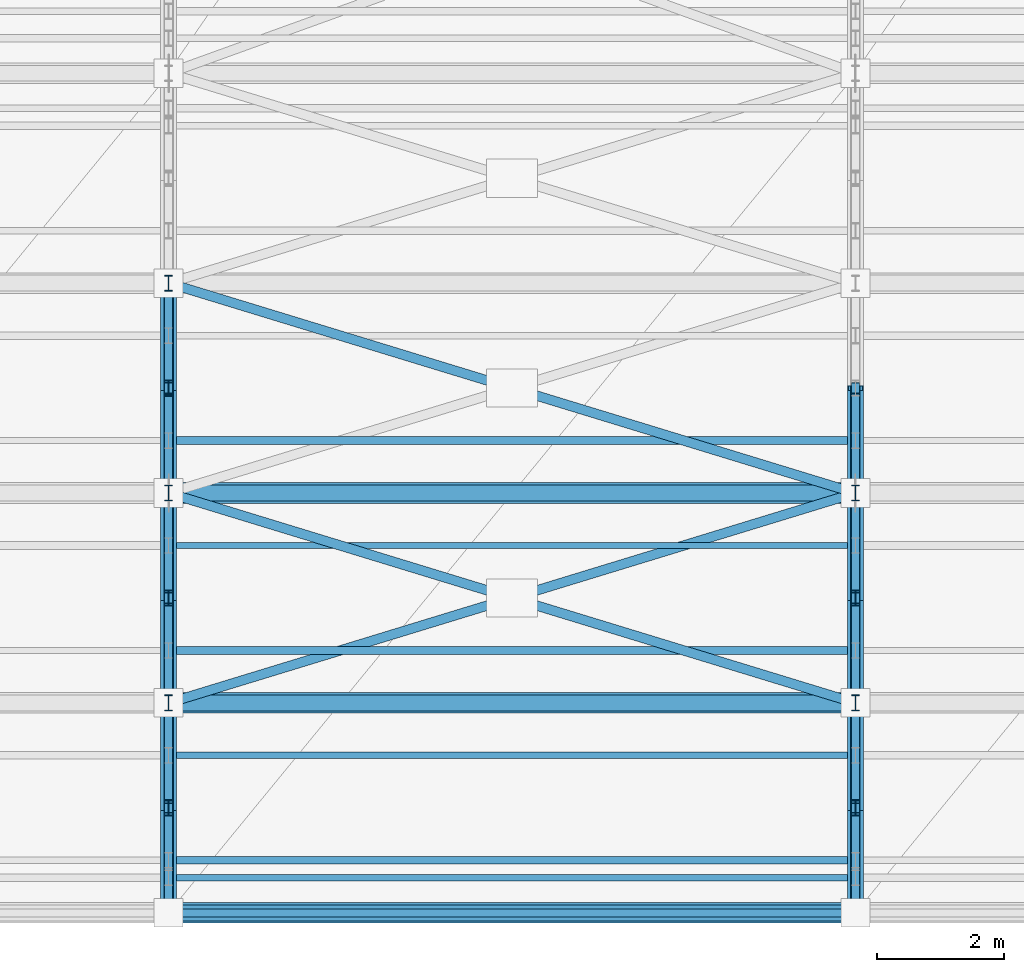
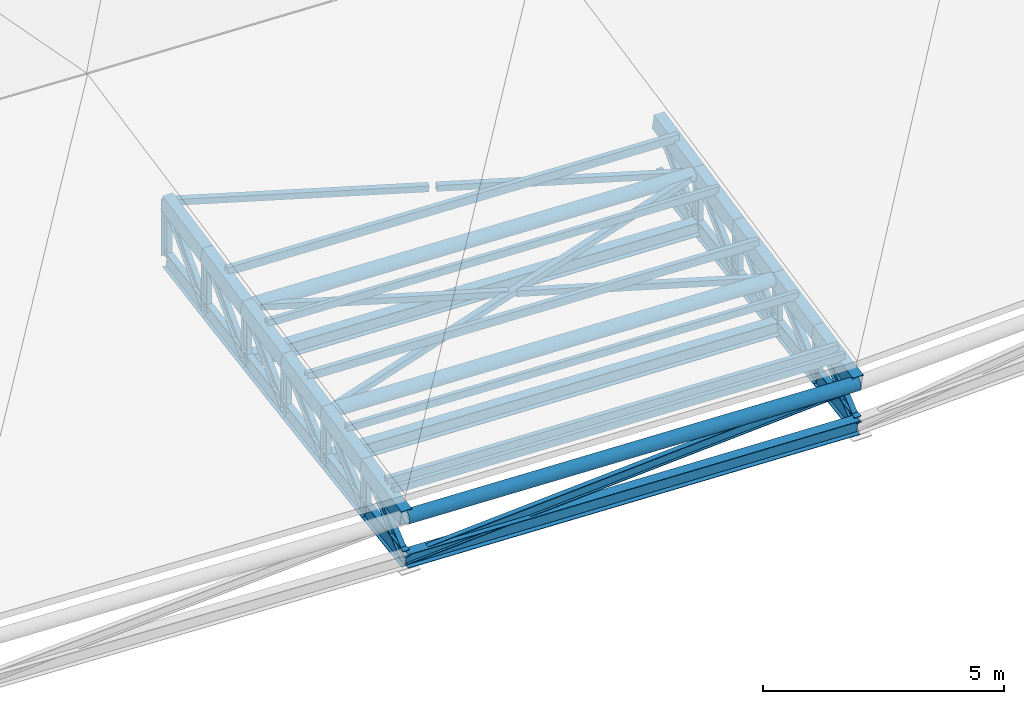
# One storey, part 19 of 89: 39 members, 22 beams.
"""IFC4 building model written with IfcOpenShell, lengths in metres."""

from ifc_helpers import new_model, si_unit, direction, frame, origin, origin_2d, place, context, subcontext, project, spatial, hollow_rectangle, hollow_circle, i_section, extrude, material, material_profile, profile_set, type_object, element, save


model = new_model("IFC4")

# Units and contexts
model_context = context("Model", 3, precision=1e-05, world=origin(), true_north=direction((0.0, 1.0)))
body_context = subcontext(model_context, "Body", "Model", "MODEL_VIEW")
ifc_project = project(units=[si_unit("LENGTHUNIT", "METRE"), si_unit("AREAUNIT", "SQUARE_METRE"), si_unit("VOLUMEUNIT", "CUBIC_METRE"), si_unit("PLANEANGLEUNIT", "RADIAN"), si_unit("MASSUNIT", "GRAM", prefix="KILO")], contexts=[model_context])

# Site, building, storey
site_placement = place(None, origin())
site = spatial("IfcSite", under=ifc_project, at=site_placement, CompositionType="ELEMENT")
building_placement = place(site_placement, origin())
building = spatial("IfcBuilding", under=site, at=building_placement, Name="Suirenkawa Promenade Aquatics Centre", CompositionType="ELEMENT")
storey_placement = place(building_placement, frame((0.0, 0.0, 9.60009765625)))
storey = spatial("IfcBuildingStorey", under=building, at=storey_placement, Name="L02", CompositionType="ELEMENT", Elevation=9.60009765625)

# Beams
ifc_material = material(Name="Steel IS 2062 E350 (Grade 350)", Category="steel")
ifc_material_profile_1 = material_profile(ifc_material, i_section(OverallWidth=0.14990234375, OverallDepth=0.449951171875, WebThickness=0.009033203125, FlangeThickness=0.01708984375, at=origin_2d()), Name="ISMB 450", Category="steel")
ifc_profile_set_1 = profile_set([ifc_material_profile_1], Name="Steel IS 2062 E350 (Grade 350)")
beam_type_1 = type_object("IfcBeamType", Name="BT-STL-ISMB450", PredefinedType="BEAM", material=ifc_profile_set_1)
beam_1_placement = place(storey_placement, frame((100.800048828125, 0.0, -2.16015625), z_axis=(0.0, 0.988714190876, 0.149814047271), x_axis=(-1.0, 0.0, 0.0)))
element("IfcBeam", 1, at=beam_1_placement, inside=storey, type_object=beam_type_1, Name="ROOF TRUSS V3 bottom chord BM-08 BM-2640", PredefinedType="BEAM", context=body_context, shape_type="SweptSolid", body=[
    extrude(i_section(OverallWidth=0.14990234375, OverallDepth=0.449951171875, WebThickness=0.009033203125, FlangeThickness=0.01708984375, at=origin_2d()), origin(), (0.0, 0.0, 1.0), 1.668701171875),
])
beam_2_placement = place(storey_placement, frame((100.800048828125, 1.64990234375, -1.91015625), z_axis=(0.0, 0.988346326675, 0.152222004153), x_axis=(-1.0, 0.0, 0.0)))
element("IfcBeam", 2, at=beam_2_placement, inside=storey, type_object=beam_type_1, Name="ROOF TRUSS V3 bottom chord BM-08 BM-2642", PredefinedType="BEAM", context=body_context, shape_type="SweptSolid", body=[
    extrude(i_section(OverallWidth=0.14990234375, OverallDepth=0.449951171875, WebThickness=0.009033203125, FlangeThickness=0.01708984375, at=origin_2d()), origin(), (0.0, 0.0, 1.0), 1.669677734375),
])
beam_3_placement = place(storey_placement, frame((100.800048828125, 3.300048828125, -1.656005859375), z_axis=(0.0, 0.987921281647, 0.154956578654), x_axis=(-1.0, 0.0, 0.0)))
element("IfcBeam", 3, at=beam_3_placement, inside=storey, type_object=beam_type_1, Name="ROOF TRUSS V3 bottom chord BM-08 BM-2644", PredefinedType="BEAM", context=body_context, shape_type="SweptSolid", body=[
    extrude(i_section(OverallWidth=0.14990234375, OverallDepth=0.449951171875, WebThickness=0.009033203125, FlangeThickness=0.01708984375, at=origin_2d()), origin(), (0.0, 0.0, 1.0), 1.670166015625),
])
beam_4_placement = place(storey_placement, frame((100.800048828125, 4.949951171875, -1.397216796875), z_axis=(0.0, 0.98733650061, 0.158639952606), x_axis=(-1.0, 0.0, 0.0)))
element("IfcBeam", 4, at=beam_4_placement, inside=storey, type_object=beam_type_1, Name="ROOF TRUSS V3 bottom chord BM-08 BM-2646", PredefinedType="BEAM", context=body_context, shape_type="SweptSolid", body=[
    extrude(i_section(OverallWidth=0.14990234375, OverallDepth=0.449951171875, WebThickness=0.009033203125, FlangeThickness=0.01708984375, at=origin_2d()), origin(), (0.0, 0.0, 1.0), 1.67138671875),
])
beam_5_placement = place(storey_placement, frame((100.800048828125, 6.60009765625, -1.132080078125), z_axis=(0.0, 0.986307007362, 0.164919638698), x_axis=(-1.0, 0.0, 0.0)))
element("IfcBeam", 5, at=beam_5_placement, inside=storey, type_object=beam_type_1, Name="ROOF TRUSS V3 bottom chord BM-08 BM-2648", PredefinedType="BEAM", context=body_context, shape_type="SweptSolid", body=[
    extrude(i_section(OverallWidth=0.14990234375, OverallDepth=0.449951171875, WebThickness=0.009033203125, FlangeThickness=0.01708984375, at=origin_2d()), origin(), (0.0, 0.0, 1.0), 1.6728515625),
])
beam_6_placement = place(storey_placement, frame((100.800048828125, 8.25, -0.856201171875), z_axis=(0.0, 0.98519463055, 0.17143961017), x_axis=(-1.0, 0.0, 0.0)))
element("IfcBeam", 6, at=beam_6_placement, inside=storey, type_object=beam_type_1, Name="ROOF TRUSS V3 bottom chord BM-08 BM-2650", PredefinedType="BEAM", context=body_context, shape_type="SweptSolid", body=[
    extrude(i_section(OverallWidth=0.14990234375, OverallDepth=0.449951171875, WebThickness=0.009033203125, FlangeThickness=0.01708984375, at=origin_2d()), origin(), (0.0, 0.0, 1.0), 1.6748046875),
])
beam_7_placement = place(storey_placement, frame((111.60009765625, 0.0, -2.56005859375), z_axis=(0.0, 0.988714190876, 0.149814047271), x_axis=(-1.0, 0.0, 0.0)))
element("IfcBeam", 7, at=beam_7_placement, inside=storey, type_object=beam_type_1, Name="ROOF TRUSS V3 bottom chord BM-08 BM-2672", PredefinedType="BEAM", context=body_context, shape_type="SweptSolid", body=[
    extrude(i_section(OverallWidth=0.14990234375, OverallDepth=0.449951171875, WebThickness=0.009033203125, FlangeThickness=0.01708984375, at=origin_2d()), origin(), (0.0, 0.0, 1.0), 1.668701171875),
])
beam_8_placement = place(storey_placement, frame((111.60009765625, 1.64990234375, -2.31005859375), z_axis=(0.0, 0.988368316367, 0.152079160974), x_axis=(-1.0, 0.0, 0.0)))
element("IfcBeam", 8, at=beam_8_placement, inside=storey, type_object=beam_type_1, Name="ROOF TRUSS V3 bottom chord BM-08 BM-2674", PredefinedType="BEAM", context=body_context, shape_type="SweptSolid", body=[
    extrude(i_section(OverallWidth=0.14990234375, OverallDepth=0.449951171875, WebThickness=0.009033203125, FlangeThickness=0.01708984375, at=origin_2d()), origin(), (0.0, 0.0, 1.0), 1.669677734375),
])
beam_9_placement = place(storey_placement, frame((111.60009765625, 3.300048828125, -2.05615234375), z_axis=(0.0, 0.987898893067, 0.155099249119), x_axis=(-1.0, 0.0, 0.0)))
element("IfcBeam", 9, at=beam_9_placement, inside=storey, type_object=beam_type_1, Name="ROOF TRUSS V3 bottom chord BM-08 BM-2676", PredefinedType="BEAM", context=body_context, shape_type="SweptSolid", body=[
    extrude(i_section(OverallWidth=0.14990234375, OverallDepth=0.449951171875, WebThickness=0.009033203125, FlangeThickness=0.01708984375, at=origin_2d()), origin(), (0.0, 0.0, 1.0), 1.670166015625),
])
beam_10_placement = place(storey_placement, frame((111.60009765625, 4.949951171875, -1.797119140625), z_axis=(0.0, 0.98733650061, 0.158639952606), x_axis=(-1.0, 0.0, 0.0)))
element("IfcBeam", 10, at=beam_10_placement, inside=storey, type_object=beam_type_1, Name="ROOF TRUSS V3 bottom chord BM-08 BM-2678", PredefinedType="BEAM", context=body_context, shape_type="SweptSolid", body=[
    extrude(i_section(OverallWidth=0.14990234375, OverallDepth=0.449951171875, WebThickness=0.009033203125, FlangeThickness=0.01708984375, at=origin_2d()), origin(), (0.0, 0.0, 1.0), 1.67138671875),
])
beam_11_placement = place(storey_placement, frame((111.60009765625, 6.60009765625, -1.531982421875), z_axis=(0.0, 0.986307007362, 0.164919638698), x_axis=(-1.0, 0.0, 0.0)))
element("IfcBeam", 11, at=beam_11_placement, inside=storey, type_object=beam_type_1, Name="ROOF TRUSS V3 bottom chord BM-08 BM-2680", PredefinedType="BEAM", context=body_context, shape_type="SweptSolid", body=[
    extrude(i_section(OverallWidth=0.14990234375, OverallDepth=0.449951171875, WebThickness=0.009033203125, FlangeThickness=0.01708984375, at=origin_2d()), origin(), (0.0, 0.0, 1.0), 1.6728515625),
])
ifc_material_profile_2 = material_profile(ifc_material, hollow_rectangle(XDim=0.25, YDim=0.39990234375, WallThickness=0.01611328125, at=origin_2d()), Name="RHS 400x250x16", Category="steel")
ifc_profile_set_2 = profile_set([ifc_material_profile_2], Name="Steel IS 2062 E350 (Grade 350)")
beam_type_2 = type_object("IfcBeamType", Name="BT-TC-RHS400", PredefinedType="BEAM", material=ifc_profile_set_2)
beam_12_placement = place(storey_placement, frame((100.800048828125, 0.0, -1.110107421875), z_axis=(0.0, 0.980457722696, 0.196729901151), x_axis=(-1.0, 0.0, 0.0)))
element("IfcBeam", 12, at=beam_12_placement, inside=storey, type_object=beam_type_2, Name="ROOF TRUSS V3 top chord TC-03 BM-2639", PredefinedType="BEAM", context=body_context, shape_type="SweptSolid", body=[
    extrude(hollow_rectangle(XDim=0.25, YDim=0.39990234375, WallThickness=0.01611328125, at=origin_2d()), origin(), (0.0, 0.0, 1.0), 1.682861328125),
])
beam_13_placement = place(storey_placement, frame((100.800048828125, 1.64990234375, -0.779052734375), z_axis=(0.0, 0.980351285841, 0.197259616621), x_axis=(-1.0, 0.0, 0.0)))
element("IfcBeam", 13, at=beam_13_placement, inside=storey, type_object=beam_type_2, Name="ROOF TRUSS V3 top chord TC-03 BM-2641", PredefinedType="BEAM", context=body_context, shape_type="SweptSolid", body=[
    extrude(hollow_rectangle(XDim=0.25, YDim=0.39990234375, WallThickness=0.01611328125, at=origin_2d()), origin(), (0.0, 0.0, 1.0), 1.68310546875),
])
beam_14_placement = place(storey_placement, frame((100.800048828125, 3.300048828125, -0.447021484375), z_axis=(0.0, 0.980485697583, 0.196590429154), x_axis=(-1.0, 0.0, 0.0)))
element("IfcBeam", 14, at=beam_14_placement, inside=storey, type_object=beam_type_2, Name="ROOF TRUSS V3 top chord TC-03 BM-2643", PredefinedType="BEAM", context=body_context, shape_type="SweptSolid", body=[
    extrude(hollow_rectangle(XDim=0.25, YDim=0.39990234375, WallThickness=0.01611328125, at=origin_2d()), origin(), (0.0, 0.0, 1.0), 1.682861328125),
])
beam_15_placement = place(storey_placement, frame((100.800048828125, 4.949951171875, -0.1162109375), z_axis=(0.0, 0.980463336519, 0.196701921042), x_axis=(-1.0, 0.0, 0.0)))
element("IfcBeam", 15, at=beam_15_placement, inside=storey, type_object=beam_type_2, Name="ROOF TRUSS V3 top chord TC-03 BM-2645", PredefinedType="BEAM", context=body_context, shape_type="SweptSolid", body=[
    extrude(hollow_rectangle(XDim=0.25, YDim=0.39990234375, WallThickness=0.01611328125, at=origin_2d()), origin(), (0.0, 0.0, 1.0), 1.68310546875),
])
for number, where, z_axis, x_axis, name in (
    (16, (100.800048828125, 6.60009765625, 0.21484375), (0.0, 0.980457722696, 0.196729901151), (-1.0, 0.0, 0.0), "ROOF TRUSS V3 top chord TC-03 BM-2647"),
    (17, (100.800048828125, 8.25, 0.5458984375), (0.0, 0.980345640785, 0.197287669646), (-1.0, 0.0, 0.0), "ROOF TRUSS V3 top chord TC-03 BM-2649"),
    (18, (111.60009765625, 0.0, -1.510009765625), (0.0, 0.980485697583, 0.196590429154), (-1.0, 0.0, 0.0), "ROOF TRUSS V3 top chord TC-03 BM-2671"),
):
    element("IfcBeam", number, at=place(storey_placement, frame(where, z_axis=z_axis, x_axis=x_axis)), inside=storey, type_object=beam_type_2, Name=name, PredefinedType="BEAM", context=body_context, shape_type="SweptSolid", body=[
        extrude(hollow_rectangle(XDim=0.25, YDim=0.39990234375, WallThickness=0.01611328125, at=origin_2d()), origin(), (0.0, 0.0, 1.0), 1.682861328125),
    ])
beam_16_placement = place(storey_placement, frame((111.60009765625, 1.64990234375, -1.17919921875), z_axis=(0.0, 0.980351285841, 0.197259616621), x_axis=(-1.0, 0.0, 0.0)))
element("IfcBeam", 19, at=beam_16_placement, inside=storey, type_object=beam_type_2, Name="ROOF TRUSS V3 top chord TC-03 BM-2673", PredefinedType="BEAM", context=body_context, shape_type="SweptSolid", body=[
    extrude(hollow_rectangle(XDim=0.25, YDim=0.39990234375, WallThickness=0.01611328125, at=origin_2d()), origin(), (0.0, 0.0, 1.0), 1.68310546875),
])
beam_17_placement = place(storey_placement, frame((111.60009765625, 3.300048828125, -0.84716796875), z_axis=(0.0, 0.980457722696, 0.196729901151), x_axis=(-1.0, 0.0, 0.0)))
element("IfcBeam", 20, at=beam_17_placement, inside=storey, type_object=beam_type_2, Name="ROOF TRUSS V3 top chord TC-03 BM-2675", PredefinedType="BEAM", context=body_context, shape_type="SweptSolid", body=[
    extrude(hollow_rectangle(XDim=0.25, YDim=0.39990234375, WallThickness=0.01611328125, at=origin_2d()), origin(), (0.0, 0.0, 1.0), 1.682861328125),
])
beam_18_placement = place(storey_placement, frame((111.60009765625, 4.949951171875, -0.51611328125), z_axis=(0.0, 0.980463336519, 0.196701921042), x_axis=(-1.0, 0.0, 0.0)))
element("IfcBeam", 21, at=beam_18_placement, inside=storey, type_object=beam_type_2, Name="ROOF TRUSS V3 top chord TC-03 BM-2677", PredefinedType="BEAM", context=body_context, shape_type="SweptSolid", body=[
    extrude(hollow_rectangle(XDim=0.25, YDim=0.39990234375, WallThickness=0.01611328125, at=origin_2d()), origin(), (0.0, 0.0, 1.0), 1.68310546875),
])
beam_19_placement = place(storey_placement, frame((111.60009765625, 6.60009765625, -0.18505859375), z_axis=(0.0, 0.980457722696, 0.196729901151), x_axis=(-1.0, 0.0, 0.0)))
element("IfcBeam", 22, at=beam_19_placement, inside=storey, type_object=beam_type_2, Name="ROOF TRUSS V3 top chord TC-03 BM-2679", PredefinedType="BEAM", context=body_context, shape_type="SweptSolid", body=[
    extrude(hollow_rectangle(XDim=0.25, YDim=0.39990234375, WallThickness=0.01611328125, at=origin_2d()), origin(), (0.0, 0.0, 1.0), 1.682861328125),
])

# Members
ifc_material_profile_3 = material_profile(ifc_material, hollow_rectangle(XDim=0.14990234375, YDim=0.14990234375, WallThickness=0.008056640625, at=origin_2d()), Name="SHS 150x150x8", Category="steel")
ifc_profile_set_3 = profile_set([ifc_material_profile_3], Name="Steel IS 2062 E350 (Grade 350)")
member_type_1 = type_object("IfcMemberType", Name="MT-BRACE-SHS150", PredefinedType="BRACE", material=ifc_profile_set_3)
member_1_placement = place(storey_placement, frame((100.800048828125, 3.300048828125, -0.447021484375), z_axis=(0.95609352985, 0.29214269148, 0.02319073078), x_axis=(-0.292221281811, 0.956350731927, 0.0)))
element("IfcMember", 23, at=member_1_placement, inside=storey, type_object=member_type_1, Name="ROOF TRUSS V3 continuous plan brace BF-02 MB-1633", PredefinedType="BRACE", context=body_context, shape_type="SweptSolid", body=[
    extrude(hollow_rectangle(XDim=0.14990234375, YDim=0.14990234375, WallThickness=0.008056640625, at=origin_2d()), origin(), (0.0, 0.0, 1.0), 11.2958984375),
])
member_2_placement = place(storey_placement, frame((111.60009765625, 3.300048828125, -0.84716796875), z_axis=(-0.952165845695, 0.290889790652, 0.093612670009), x_axis=(-0.292172811394, -0.956365541141, 0.0)))
element("IfcMember", 24, at=member_2_placement, inside=storey, type_object=member_type_1, Name="ROOF TRUSS V3 split plan brace A BF-02 MB-1634", PredefinedType="BRACE", context=body_context, shape_type="SweptSolid", body=[
    extrude(hollow_rectangle(XDim=0.14990234375, YDim=0.14990234375, WallThickness=0.008056640625, at=origin_2d()), origin(), (0.0, 0.0, 1.0), 5.58642578125),
])
member_3_placement = place(storey_placement, frame((106.118896484375, 4.97509765625, -0.30810546875), z_axis=(-0.952161764408, 0.290901895892, 0.093616565655), x_axis=(-0.292185077524, -0.956361793712, 0.0)))
element("IfcMember", 25, at=member_3_placement, inside=storey, type_object=member_type_1, Name="ROOF TRUSS V3 split plan brace B BF-02 MB-1635", PredefinedType="BRACE", context=body_context, shape_type="SweptSolid", body=[
    extrude(hollow_rectangle(XDim=0.14990234375, YDim=0.14990234375, WallThickness=0.008056640625, at=origin_2d()), origin(), (0.0, 0.0, 1.0), 5.586181640625),
])
member_4_placement = place(storey_placement, frame((111.60009765625, 6.60009765625, -0.18505859375), z_axis=(-0.952150249558, 0.290885025982, 0.093785947379), x_axis=(-0.292172811394, -0.956365541141, 0.0)))
element("IfcMember", 26, at=member_4_placement, inside=storey, type_object=member_type_1, Name="ROOF TRUSS V3 split plan brace A BF-02 MB-1637", PredefinedType="BRACE", context=body_context, shape_type="SweptSolid", body=[
    extrude(hollow_rectangle(XDim=0.14990234375, YDim=0.14990234375, WallThickness=0.008056640625, at=origin_2d()), origin(), (0.0, 0.0, 1.0), 5.58642578125),
])
member_5_placement = place(storey_placement, frame((106.118896484375, 8.27490234375, 0.35400390625), z_axis=(-0.952146167041, 0.290897130626, 0.093789850109), x_axis=(-0.292185077524, -0.956361793712, 0.0)))
element("IfcMember", 27, at=member_5_placement, inside=storey, type_object=member_type_1, Name="ROOF TRUSS V3 split plan brace B BF-02 MB-1638", PredefinedType="BRACE", context=body_context, shape_type="SweptSolid", body=[
    extrude(hollow_rectangle(XDim=0.14990234375, YDim=0.14990234375, WallThickness=0.008056640625, at=origin_2d()), origin(), (0.0, 0.0, 1.0), 5.586181640625),
])
ifc_material_profile_4 = material_profile(ifc_material, hollow_circle(Radius=0.162109375, WallThickness=0.013916015625, at=origin_2d()), Name="CHS 324x14", Category="steel")
ifc_profile_set_4 = profile_set([ifc_material_profile_4], Name="Steel IS 2062 E350 (Grade 350)")
member_type_2 = type_object("IfcMemberType", Name="MT-CHORD-CHS324", PredefinedType="CHORD", material=ifc_profile_set_4)
for number, where, z_axis, x_axis, name in (
    (28, (100.800048828125, 0.0, -1.110107421875), (0.999315174122, 0.0, -0.03700246977), (0.0, 1.0, 0.0), "ROOF TRUSS V3 eave top chord CH-01 MB-1499"),
    (29, (100.800048828125, 3.300048828125, -0.447021484375), (0.999314338554, 0.0, -0.037025028842), (0.0, 1.0, 0.0), "ROOF TRUSS V3 tie chord CH-01 MB-1539"),
    (30, (100.800048828125, 6.60009765625, 0.21484375), (0.999315174122, 0.0, -0.03700246977), (0.0, 1.0, 0.0), "ROOF TRUSS V3 tie chord CH-01 MB-1553"),
):
    element("IfcMember", number, at=place(storey_placement, frame(where, z_axis=z_axis, x_axis=x_axis)), inside=storey, type_object=member_type_2, Name=name, PredefinedType="CHORD", context=body_context, shape_type="SweptSolid", body=[
        extrude(hollow_circle(Radius=0.162109375, WallThickness=0.013916015625, at=origin_2d()), origin(), (0.0, 0.0, 1.0), 10.807373046875),
    ])
ifc_material_profile_5 = material_profile(ifc_material, i_section(OverallWidth=0.25, OverallDepth=0.35009765625, WebThickness=0.010009765625, FlangeThickness=0.011962890625, at=origin_2d()), Name="ISHB 350", Category="steel")
ifc_profile_set_5 = profile_set([ifc_material_profile_5], Name="Steel IS 2062 E350 (Grade 350)")
member_type_3 = type_object("IfcMemberType", Name="MT-CHORD-ISHB350", PredefinedType="CHORD", material=ifc_profile_set_5)
for number, where, z_axis, x_axis, name in (
    (31, (100.800048828125, 0.0, -2.16015625), (0.999315174122, 0.0, -0.03700246977), (0.0, 1.0, 0.0), "ROOF TRUSS V3 eave bottom chord CH-04 MB-1500"),
    (32, (100.800048828125, 3.300048828125, -1.656005859375), (0.999314338554, 0.0, -0.037025028842), (0.0, 1.0, 0.0), "ROOF TRUSS V3 bottom tie CH-04 MB-1540"),
    (33, (100.800048828125, 6.60009765625, -1.132080078125), (0.999315174122, 0.0, -0.03700246977), (0.0, 1.0, 0.0), "ROOF TRUSS V3 bottom tie CH-04 MB-1554"),
):
    element("IfcMember", number, at=place(storey_placement, frame(where, z_axis=z_axis, x_axis=x_axis)), inside=storey, type_object=member_type_3, Name=name, PredefinedType="CHORD", context=body_context, shape_type="SweptSolid", body=[
        extrude(i_section(OverallWidth=0.25, OverallDepth=0.35009765625, WebThickness=0.010009765625, FlangeThickness=0.011962890625, at=origin_2d()), origin(), (0.0, 0.0, 1.0), 10.807373046875),
    ])
ifc_material_profile_6 = material_profile(ifc_material, hollow_rectangle(XDim=0.10009765625, YDim=0.179931640625, WallThickness=0.008056640625, at=origin_2d()), Name="RHS 180x100x8", Category="steel")
ifc_profile_set_6 = profile_set([ifc_material_profile_6], Name="Steel IS 2062 E350 (Grade 350)")
member_type_4 = type_object("IfcMemberType", Name="MT-PURLIN-RHS180", PredefinedType="PURLIN", material=ifc_profile_set_6)
for number, where, z_axis, x_axis, name in (
    (34, (100.800048828125, 0.550048828125, -0.748046875), (0.999314338554, 0.0, -0.037025028842), (0.0, 1.0, 0.0), "ROOF TRUSS Roof purlin PU-01 MB-2705"),
    (35, (100.800048828125, 2.47509765625, -0.361083984375), (0.999315174122, 0.0, -0.03700246977), (0.0, 1.0, 0.0), "ROOF TRUSS Roof purlin PU-01 MB-2709"),
    (36, (100.800048828125, 5.77490234375, 0.30078125), (0.999315174122, 0.0, -0.03700246977), (0.0, 1.0, 0.0), "ROOF TRUSS Roof purlin PU-01 MB-2713"),
):
    element("IfcMember", number, at=place(storey_placement, frame(where, z_axis=z_axis, x_axis=x_axis)), inside=storey, type_object=member_type_4, Name=name, PredefinedType="PURLIN", context=body_context, shape_type="SweptSolid", body=[
        extrude(hollow_rectangle(XDim=0.10009765625, YDim=0.179931640625, WallThickness=0.008056640625, at=origin_2d()), origin(), (0.0, 0.0, 1.0), 10.807373046875),
    ])
ifc_material_profile_7 = material_profile(ifc_material, hollow_rectangle(XDim=0.1201171875, YDim=0.199951171875, WallThickness=0.008056640625, at=origin_2d()), Name="RHS 200x120x8", Category="steel")
ifc_profile_set_7 = profile_set([ifc_material_profile_7], Name="Steel IS 2062 E350 (Grade 350)")
member_type_5 = type_object("IfcMemberType", Name="MT-PURLIN-RHS200", PredefinedType="PURLIN", material=ifc_profile_set_7)
for number, where, z_axis, x_axis, name in (
    (37, (100.800048828125, 0.824951171875, -0.7041015625), (0.999315174122, 0.0, -0.03700246977), (0.0, 1.0, 0.0), "ROOF TRUSS Roof purlin PU-02 MB-2707"),
    (38, (100.800048828125, 4.125, -0.0419921875), (0.999314338554, 0.0, -0.037025028842), (0.0, 1.0, 0.0), "ROOF TRUSS Roof purlin PU-02 MB-2711"),
    (39, (100.800048828125, 7.425048828125, 0.620849609375), (0.999315174122, 0.0, -0.03700246977), (0.0, 1.0, 0.0), "ROOF TRUSS Roof purlin PU-02 MB-2715"),
):
    element("IfcMember", number, at=place(storey_placement, frame(where, z_axis=z_axis, x_axis=x_axis)), inside=storey, type_object=member_type_5, Name=name, PredefinedType="PURLIN", context=body_context, shape_type="SweptSolid", body=[
        extrude(hollow_rectangle(XDim=0.1201171875, YDim=0.199951171875, WallThickness=0.008056640625, at=origin_2d()), origin(), (0.0, 0.0, 1.0), 10.807373046875),
    ])
ifc_material_profile_8 = material_profile(ifc_material, i_section(OverallWidth=0.125, OverallDepth=0.25, WebThickness=0.007080078125, FlangeThickness=0.012939453125, at=origin_2d()), Name="ISMB 250", Category="steel")
ifc_profile_set_8 = profile_set([ifc_material_profile_8], Name="Steel IS 2062 E350 (Grade 350)")
member_type_6 = type_object("IfcMemberType", Name="MT-WEB-CHS168", PredefinedType="BRACE", material=ifc_profile_set_8)
member_6_placement = place(storey_placement, frame((100.800048828125, 0.0, -2.16015625), z_axis=(0.0, 0.766805727189, 0.641879254026), x_axis=(-1.0, 0.0, 0.0)))
element("IfcMember", 40, at=member_6_placement, inside=storey, type_object=member_type_6, Name="ROOF TRUSS V3 web diagonal TD-03 MB-1338", PredefinedType="BRACE", context=body_context, shape_type="SweptSolid", body=[
    extrude(i_section(OverallWidth=0.125, OverallDepth=0.25, WebThickness=0.007080078125, FlangeThickness=0.012939453125, at=origin_2d()), origin(), (0.0, 0.0, 1.0), 2.151611328125),
])
member_7_placement = place(storey_placement, frame((100.800048828125, 1.64990234375, -1.91015625), z_axis=(0.0, 0.748233280402, 0.663435722658), x_axis=(-1.0, 0.0, 0.0)))
element("IfcMember", 41, at=member_7_placement, inside=storey, type_object=member_type_6, Name="ROOF TRUSS V3 web diagonal TD-03 MB-1339", PredefinedType="BRACE", context=body_context, shape_type="SweptSolid", body=[
    extrude(i_section(OverallWidth=0.125, OverallDepth=0.25, WebThickness=0.007080078125, FlangeThickness=0.012939453125, at=origin_2d()), origin(), (0.0, 0.0, 1.0), 2.205322265625),
])
member_8_placement = place(storey_placement, frame((100.800048828125, 3.300048828125, -1.656005859375), z_axis=(0.0, 0.731080449788, 0.682291269135), x_axis=(-1.0, 0.0, 0.0)))
element("IfcMember", 42, at=member_8_placement, inside=storey, type_object=member_type_6, Name="ROOF TRUSS V3 web diagonal TD-03 MB-1340", PredefinedType="BRACE", context=body_context, shape_type="SweptSolid", body=[
    extrude(i_section(OverallWidth=0.125, OverallDepth=0.25, WebThickness=0.007080078125, FlangeThickness=0.012939453125, at=origin_2d()), origin(), (0.0, 0.0, 1.0), 2.2568359375),
])
member_9_placement = place(storey_placement, frame((100.800048828125, 4.949951171875, -1.397216796875), z_axis=(0.0, 0.715313433298, 0.698803757963), x_axis=(-1.0, 0.0, 0.0)))
element("IfcMember", 43, at=member_9_placement, inside=storey, type_object=member_type_6, Name="ROOF TRUSS V3 web diagonal TD-03 MB-1341", PredefinedType="BRACE", context=body_context, shape_type="SweptSolid", body=[
    extrude(i_section(OverallWidth=0.125, OverallDepth=0.25, WebThickness=0.007080078125, FlangeThickness=0.012939453125, at=origin_2d()), origin(), (0.0, 0.0, 1.0), 2.306884765625),
])
member_10_placement = place(storey_placement, frame((100.800048828125, 6.60009765625, -1.132080078125), z_axis=(0.0, 0.701116216261, 0.713047018994), x_axis=(-1.0, 0.0, 0.0)))
element("IfcMember", 44, at=member_10_placement, inside=storey, type_object=member_type_6, Name="ROOF TRUSS V3 web diagonal TD-03 MB-1342", PredefinedType="BRACE", context=body_context, shape_type="SweptSolid", body=[
    extrude(i_section(OverallWidth=0.125, OverallDepth=0.25, WebThickness=0.007080078125, FlangeThickness=0.012939453125, at=origin_2d()), origin(), (0.0, 0.0, 1.0), 2.353271484375),
])
member_11_placement = place(storey_placement, frame((100.800048828125, 8.25, -0.856201171875), z_axis=(0.0, 0.689293428804, 0.724482276531), x_axis=(-1.0, 0.0, 0.0)))
element("IfcMember", 45, at=member_11_placement, inside=storey, type_object=member_type_6, Name="ROOF TRUSS V3 web diagonal TD-03 MB-1343", PredefinedType="BRACE", context=body_context, shape_type="SweptSolid", body=[
    extrude(i_section(OverallWidth=0.125, OverallDepth=0.25, WebThickness=0.007080078125, FlangeThickness=0.012939453125, at=origin_2d()), origin(), (0.0, 0.0, 1.0), 2.3935546875),
])
member_12_placement = place(storey_placement, frame((100.800048828125, 1.64990234375, -1.91015625), z_axis=(0.0, 0.0, 1.0), x_axis=(1.0, 0.0, 0.0)))
element("IfcMember", 46, at=member_12_placement, inside=storey, type_object=member_type_6, Name="ROOF TRUSS V3 web post TD-03 MB-1354", PredefinedType="BRACE", context=body_context, shape_type="SweptSolid", body=[
    extrude(i_section(OverallWidth=0.125, OverallDepth=0.25, WebThickness=0.007080078125, FlangeThickness=0.012939453125, at=origin_2d()), origin(), (0.0, 0.0, 1.0), 1.131103515625),
])
member_13_placement = place(storey_placement, frame((100.800048828125, 3.300048828125, -1.656005859375), z_axis=(0.0, 0.0, 1.0), x_axis=(1.0, 0.0, 0.0)))
element("IfcMember", 47, at=member_13_placement, inside=storey, type_object=member_type_6, Name="ROOF TRUSS V3 web post TD-03 MB-1355", PredefinedType="BRACE", context=body_context, shape_type="SweptSolid", body=[
    extrude(i_section(OverallWidth=0.125, OverallDepth=0.25, WebThickness=0.007080078125, FlangeThickness=0.012939453125, at=origin_2d()), origin(), (0.0, 0.0, 1.0), 1.208984375),
])
member_14_placement = place(storey_placement, frame((100.800048828125, 4.949951171875, -1.397216796875), z_axis=(0.0, 0.0, 1.0), x_axis=(1.0, 0.0, 0.0)))
element("IfcMember", 48, at=member_14_placement, inside=storey, type_object=member_type_6, Name="ROOF TRUSS V3 web post TD-03 MB-1356", PredefinedType="BRACE", context=body_context, shape_type="SweptSolid", body=[
    extrude(i_section(OverallWidth=0.125, OverallDepth=0.25, WebThickness=0.007080078125, FlangeThickness=0.012939453125, at=origin_2d()), origin(), (0.0, 0.0, 1.0), 1.281005859375),
])
member_15_placement = place(storey_placement, frame((100.800048828125, 6.60009765625, -1.132080078125), z_axis=(0.0, 0.0, 1.0), x_axis=(1.0, 0.0, 0.0)))
element("IfcMember", 49, at=member_15_placement, inside=storey, type_object=member_type_6, Name="ROOF TRUSS V3 web post TD-03 MB-1357", PredefinedType="BRACE", context=body_context, shape_type="SweptSolid", body=[
    extrude(i_section(OverallWidth=0.125, OverallDepth=0.25, WebThickness=0.007080078125, FlangeThickness=0.012939453125, at=origin_2d()), origin(), (0.0, 0.0, 1.0), 1.346923828125),
])
member_16_placement = place(storey_placement, frame((100.800048828125, 8.25, -0.856201171875), z_axis=(0.0, 0.0, 1.0), x_axis=(1.0, 0.0, 0.0)))
element("IfcMember", 50, at=member_16_placement, inside=storey, type_object=member_type_6, Name="ROOF TRUSS V3 web post TD-03 MB-1358", PredefinedType="BRACE", context=body_context, shape_type="SweptSolid", body=[
    extrude(i_section(OverallWidth=0.125, OverallDepth=0.25, WebThickness=0.007080078125, FlangeThickness=0.012939453125, at=origin_2d()), origin(), (0.0, 0.0, 1.0), 1.402099609375),
])
member_17_placement = place(storey_placement, frame((100.800048828125, 9.89990234375, -0.569091796875), z_axis=(0.0, 0.0, 1.0), x_axis=(1.0, 0.0, 0.0)))
element("IfcMember", 51, at=member_17_placement, inside=storey, type_object=member_type_6, Name="ROOF TRUSS V3 web post TD-03 MB-1359", PredefinedType="BRACE", context=body_context, shape_type="SweptSolid", body=[
    extrude(i_section(OverallWidth=0.125, OverallDepth=0.25, WebThickness=0.007080078125, FlangeThickness=0.012939453125, at=origin_2d()), origin(), (0.0, 0.0, 1.0), 1.447021484375),
])
member_18_placement = place(storey_placement, frame((111.60009765625, 0.0, -2.56005859375), z_axis=(0.0, 0.766861576126, 0.64181252953), x_axis=(-1.0, 0.0, 0.0)))
element("IfcMember", 52, at=member_18_placement, inside=storey, type_object=member_type_6, Name="ROOF TRUSS V3 web diagonal TD-03 MB-1369", PredefinedType="BRACE", context=body_context, shape_type="SweptSolid", body=[
    extrude(i_section(OverallWidth=0.125, OverallDepth=0.25, WebThickness=0.007080078125, FlangeThickness=0.012939453125, at=origin_2d()), origin(), (0.0, 0.0, 1.0), 2.151611328125),
])
member_19_placement = place(storey_placement, frame((111.60009765625, 1.64990234375, -2.31005859375), z_axis=(0.0, 0.748288234749, 0.663373739106), x_axis=(-1.0, 0.0, 0.0)))
element("IfcMember", 53, at=member_19_placement, inside=storey, type_object=member_type_6, Name="ROOF TRUSS V3 web diagonal TD-03 MB-1370", PredefinedType="BRACE", context=body_context, shape_type="SweptSolid", body=[
    extrude(i_section(OverallWidth=0.125, OverallDepth=0.25, WebThickness=0.007080078125, FlangeThickness=0.012939453125, at=origin_2d()), origin(), (0.0, 0.0, 1.0), 2.205322265625),
])
member_20_placement = place(storey_placement, frame((111.60009765625, 3.300048828125, -2.05615234375), z_axis=(0.0, 0.731026490239, 0.682349082632), x_axis=(-1.0, 0.0, 0.0)))
element("IfcMember", 54, at=member_20_placement, inside=storey, type_object=member_type_6, Name="ROOF TRUSS V3 web diagonal TD-03 MB-1371", PredefinedType="BRACE", context=body_context, shape_type="SweptSolid", body=[
    extrude(i_section(OverallWidth=0.125, OverallDepth=0.25, WebThickness=0.007080078125, FlangeThickness=0.012939453125, at=origin_2d()), origin(), (0.0, 0.0, 1.0), 2.257080078125),
])
member_21_placement = place(storey_placement, frame((111.60009765625, 4.949951171875, -1.797119140625), z_axis=(0.0, 0.715313433298, 0.698803757963), x_axis=(-1.0, 0.0, 0.0)))
element("IfcMember", 55, at=member_21_placement, inside=storey, type_object=member_type_6, Name="ROOF TRUSS V3 web diagonal TD-03 MB-1372", PredefinedType="BRACE", context=body_context, shape_type="SweptSolid", body=[
    extrude(i_section(OverallWidth=0.125, OverallDepth=0.25, WebThickness=0.007080078125, FlangeThickness=0.012939453125, at=origin_2d()), origin(), (0.0, 0.0, 1.0), 2.306884765625),
])
member_22_placement = place(storey_placement, frame((111.60009765625, 6.60009765625, -1.531982421875), z_axis=(0.0, 0.701116216261, 0.713047018994), x_axis=(-1.0, 0.0, 0.0)))
element("IfcMember", 56, at=member_22_placement, inside=storey, type_object=member_type_6, Name="ROOF TRUSS V3 web diagonal TD-03 MB-1373", PredefinedType="BRACE", context=body_context, shape_type="SweptSolid", body=[
    extrude(i_section(OverallWidth=0.125, OverallDepth=0.25, WebThickness=0.007080078125, FlangeThickness=0.012939453125, at=origin_2d()), origin(), (0.0, 0.0, 1.0), 2.353271484375),
])
member_23_placement = place(storey_placement, frame((111.60009765625, 1.64990234375, -2.31005859375), z_axis=(0.0, 0.0, 1.0), x_axis=(1.0, 0.0, 0.0)))
element("IfcMember", 57, at=member_23_placement, inside=storey, type_object=member_type_6, Name="ROOF TRUSS V3 web post TD-03 MB-1385", PredefinedType="BRACE", context=body_context, shape_type="SweptSolid", body=[
    extrude(i_section(OverallWidth=0.125, OverallDepth=0.25, WebThickness=0.007080078125, FlangeThickness=0.012939453125, at=origin_2d()), origin(), (0.0, 0.0, 1.0), 1.130859375),
])
member_24_placement = place(storey_placement, frame((111.60009765625, 3.300048828125, -2.05615234375), z_axis=(0.0, 0.0, 1.0), x_axis=(1.0, 0.0, 0.0)))
element("IfcMember", 58, at=member_24_placement, inside=storey, type_object=member_type_6, Name="ROOF TRUSS V3 web post TD-03 MB-1386", PredefinedType="BRACE", context=body_context, shape_type="SweptSolid", body=[
    extrude(i_section(OverallWidth=0.125, OverallDepth=0.25, WebThickness=0.007080078125, FlangeThickness=0.012939453125, at=origin_2d()), origin(), (0.0, 0.0, 1.0), 1.208984375),
])
member_25_placement = place(storey_placement, frame((111.60009765625, 4.949951171875, -1.797119140625), z_axis=(0.0, 0.0, 1.0), x_axis=(1.0, 0.0, 0.0)))
element("IfcMember", 59, at=member_25_placement, inside=storey, type_object=member_type_6, Name="ROOF TRUSS V3 web post TD-03 MB-1387", PredefinedType="BRACE", context=body_context, shape_type="SweptSolid", body=[
    extrude(i_section(OverallWidth=0.125, OverallDepth=0.25, WebThickness=0.007080078125, FlangeThickness=0.012939453125, at=origin_2d()), origin(), (0.0, 0.0, 1.0), 1.281005859375),
])
member_26_placement = place(storey_placement, frame((111.60009765625, 6.60009765625, -1.531982421875), z_axis=(0.0, 0.0, 1.0), x_axis=(1.0, 0.0, 0.0)))
element("IfcMember", 60, at=member_26_placement, inside=storey, type_object=member_type_6, Name="ROOF TRUSS V3 web post TD-03 MB-1388", PredefinedType="BRACE", context=body_context, shape_type="SweptSolid", body=[
    extrude(i_section(OverallWidth=0.125, OverallDepth=0.25, WebThickness=0.007080078125, FlangeThickness=0.012939453125, at=origin_2d()), origin(), (0.0, 0.0, 1.0), 1.346923828125),
])
member_27_placement = place(storey_placement, frame((100.800048828125, 0.0, -2.16015625), z_axis=(0.998192981522, 0.0, 0.060089696629), x_axis=(0.0, 1.0, 0.0)))
element("IfcMember", 61, at=member_27_placement, inside=storey, type_object=member_type_6, Name="ROOF TRUSS V3 eave web diagonal TD-03 MB-1501", PredefinedType="BRACE", context=body_context, shape_type="SweptSolid", body=[
    extrude(i_section(OverallWidth=0.125, OverallDepth=0.25, WebThickness=0.007080078125, FlangeThickness=0.012939453125, at=origin_2d()), origin(), (0.0, 0.0, 1.0), 10.819580078125),
])

save(model, "model.ifc")
